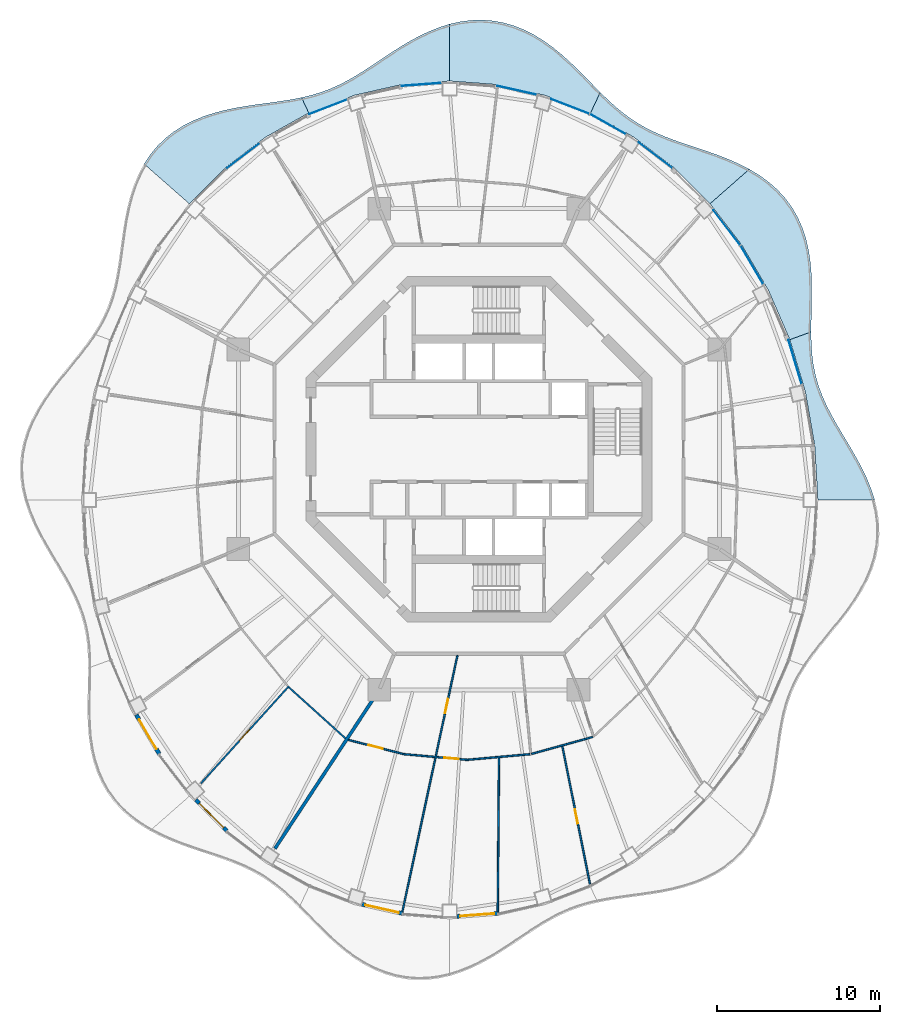
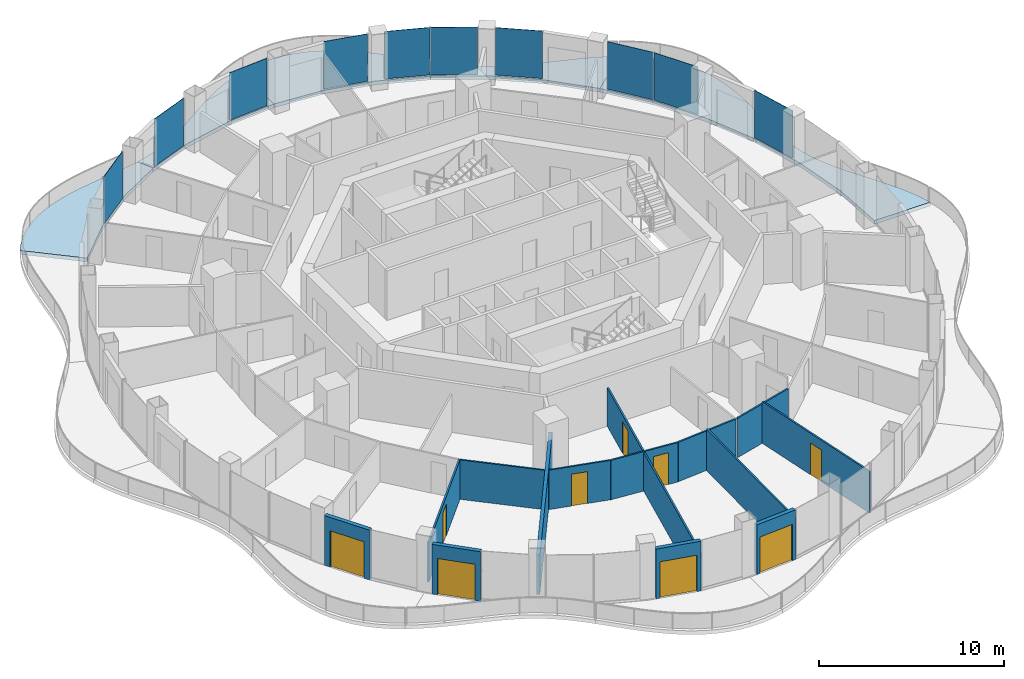
# One storey, part 9 of 17: 14 walls, 10 plates, 9 doors, 6 slabs, 9 openings, 10 elements without a shape of their own.
"""IFC4 building model written with IfcOpenShell, lengths in metres."""

import ifcopenshell
import ifcopenshell.guid

model = None  # the IFC model being written
_history = None  # IfcOwnerHistory: only IFC2X3 demands one
_inside = {}  # id of a spatial element -> (the spatial element, [elements in it])
_under = {}  # id of a project, library or spatial element -> (it, [spatial elements below it])
_declared = {}  # id of a project -> (the project, [libraries it declares])
_typed = {}  # id of a type object -> (the type object, [elements of that type])
_made_of = {}  # id of a material, layer set ... -> (it, [elements and type objects made of it])


def new_model(schema):
    """Start an empty IFC model of exactly this schema.

    Asked for "IFC4X3", IfcOpenShell would pick the latest addendum, in which some entities
    have other attributes; the version numbers below select the first issue.
    IFC2X3 requires an IfcOwnerHistory on every rooted entity: one is made here for all.
    """
    global model, _history
    if schema == "IFC4X3":
        model = ifcopenshell.file(schema_version=(4, 3, 0, 0))
    else:
        model = ifcopenshell.file(schema=schema)
    _inside.clear()
    _under.clear()
    _declared.clear()
    _typed.clear()
    _made_of.clear()
    _history = None
    if model.schema == "IFC2X3":
        org = make("IfcOrganization", Name="unknown")
        user = make(
            "IfcPersonAndOrganization",
            ThePerson=make("IfcPerson", FamilyName="unknown"),
            TheOrganization=org,
        )
        app = make(
            "IfcApplication",
            ApplicationDeveloper=org,
            Version="unknown",
            ApplicationFullName="unknown",
            ApplicationIdentifier="unknown",
        )
        _history = make(
            "IfcOwnerHistory",
            OwningUser=user,
            OwningApplication=app,
            ChangeAction="ADDED",
            CreationDate=0,
        )
    return model


def make(cls, **values):
    """One entity of the class cls with the attributes given. An attribute that is None is left unset."""
    return model.create_entity(
        cls, **{name: value for name, value in values.items() if value is not None}
    )


def rooted(cls, **values):
    """An entity with a GlobalId (a new one), such as an element, a storey or a relation."""
    return make(cls, GlobalId=ifcopenshell.guid.new(), OwnerHistory=_history, **values)


def si_unit(unit_type, name, prefix=None):
    """IfcSIUnit, for example si_unit("LENGTHUNIT", "METRE", prefix="MILLI")."""
    return make("IfcSIUnit", UnitType=unit_type, Prefix=prefix, Name=name)


def assignment(units):
    """IfcUnitAssignment: the units of a project."""
    return None if units is None else make("IfcUnitAssignment", Units=units)


def point(xyz):
    """IfcCartesianPoint."""
    return None if xyz is None else make("IfcCartesianPoint", Coordinates=xyz)


def direction(xyz):
    """IfcDirection."""
    return None if xyz is None else make("IfcDirection", DirectionRatios=xyz)


def frame(location, z_axis=None, x_axis=None):
    """IfcAxis2Placement3D, a coordinate frame: its origin and axes. An axis left out is left unset."""
    return make(
        "IfcAxis2Placement3D",
        Location=point(location),
        Axis=direction(z_axis),
        RefDirection=direction(x_axis),
    )


def frame_2d(location, x_axis=None):
    """IfcAxis2Placement2D, a coordinate frame in the plane: its origin and x axis."""
    return make(
        "IfcAxis2Placement2D", Location=point(location), RefDirection=direction(x_axis)
    )


def origin():
    """The frame at (0, 0, 0) with its axes left unset."""
    return frame((0.0, 0.0, 0.0))


def origin_2d():
    """The frame at (0, 0) in the plane with its x axis left unset."""
    return frame_2d((0.0, 0.0))


def place(relative_to, where):
    """IfcLocalPlacement: puts the frame where relative to a parent placement (None: the world)."""
    return make(
        "IfcLocalPlacement", PlacementRelTo=relative_to, RelativePlacement=where
    )


def context(
    kind, dimensions, precision=None, world=None, true_north=None, identifier=None
):
    """IfcGeometricRepresentationContext, for example the 3D "Model" context."""
    return make(
        "IfcGeometricRepresentationContext",
        ContextIdentifier=identifier,
        ContextType=kind,
        CoordinateSpaceDimension=dimensions,
        Precision=precision,
        WorldCoordinateSystem=world,
        TrueNorth=true_north,
    )


def subcontext(parent, identifier, kind, view, scale=None):
    """IfcGeometricRepresentationSubContext, for example "Body" below "Model"."""
    return make(
        "IfcGeometricRepresentationSubContext",
        ContextIdentifier=identifier,
        ContextType=kind,
        ParentContext=parent,
        TargetScale=scale,
        TargetView=view,
    )


def project(units=None, contexts=None):
    """IfcProject with its units and contexts."""
    return rooted(
        "IfcProject",
        Name="project",
        RepresentationContexts=contexts,
        UnitsInContext=assignment(units),
    )


def spatial(cls, under=None, at=None, **own):
    """A site, building, storey or space (cls), placed at a placement, below another one or the project."""
    s = rooted(cls, ObjectPlacement=at, **own)
    if under is not None:
        _under.setdefault(under.id(), (under, []))[1].append(s)
    return s


def polyline(points):
    """IfcPolyline through the points."""
    return make("IfcPolyline", Points=[point(p) for p in points])


def profile(cls, at=None, kind="AREA", **sizes):
    """A parametric profile (cls). Its sizes go by their IFC names, for example OverallWidth=200.0."""
    return make(cls, ProfileType=kind, Position=at, **sizes)


def rectangle(**sizes):
    """IfcRectangleProfileDef."""
    return profile("IfcRectangleProfileDef", **sizes)


def outline(outer, holes=None, kind="AREA"):
    """IfcArbitraryClosedProfileDef: a profile drawn as a closed curve; with holes, ...WithVoids."""
    if holes is None:
        return make("IfcArbitraryClosedProfileDef", ProfileType=kind, OuterCurve=outer)
    return make(
        "IfcArbitraryProfileDefWithVoids",
        ProfileType=kind,
        OuterCurve=outer,
        InnerCurves=holes,
    )


def extrude(swept, where, along, depth):
    """IfcExtrudedAreaSolid: the profile swept, set in the frame where, extruded along a direction by depth."""
    return make(
        "IfcExtrudedAreaSolid",
        SweptArea=swept,
        Position=where,
        ExtrudedDirection=direction(along),
        Depth=depth,
    )


def shape(context_of_items, identifier, shape_type, items):
    """IfcShapeRepresentation: the items that make up one representation, for example the "Body"."""
    return make(
        "IfcShapeRepresentation",
        ContextOfItems=context_of_items,
        RepresentationIdentifier=identifier,
        RepresentationType=shape_type,
        Items=items,
    )


def material(Name=None, Category=None):
    """IfcMaterial."""
    return make("IfcMaterial", Name=Name, Category=Category)


def layer(
    of_material, thickness, ventilated=None, Name=None, Category=None, Priority=None
):
    """IfcMaterialLayer: one layer of a wall or slab, of a material (None: an air gap)."""
    return make(
        "IfcMaterialLayer",
        Material=of_material,
        LayerThickness=thickness,
        IsVentilated=ventilated,
        Name=Name,
        Category=Category,
        Priority=Priority,
    )


def layer_set(layers, Name=None):
    """IfcMaterialLayerSet."""
    return make("IfcMaterialLayerSet", MaterialLayers=layers, LayerSetName=Name)


def made_of(thing, what):
    """Note that an element or type object is made of a material, layer set ...; save() writes the relation."""
    if what is not None:
        _made_of.setdefault(what.id(), (what, []))[1].append(thing)
    return thing


def type_object(cls, material=None, **own):
    """A type object (cls), such as IfcWallType, which elements share."""
    return made_of(rooted(cls, **own), material)


def element(
    cls,
    number,
    at=None,
    inside=None,
    cuts=None,
    type_object=None,
    material=None,
    context=None,
    identifier="Body",
    shape_type=None,
    held_by="IfcProductDefinitionShape",
    body=None,
    shapes=None,
    **own,
):
    """One element of the class cls, such as IfcWall. Its Tag is "e" and its number.

    at: its placement. inside: the storey or other place that contains it. cuts: it is an
    opening in that element (IfcRelVoidsElement). A single representation is given by context,
    identifier, shape_type and body (its items); several are given by shapes. held_by: the class
    of the entity that holds the representations. save() writes the other relations.
    """
    e = rooted(cls, Tag="e%d" % number, ObjectPlacement=at, **own)
    if body is not None:
        shapes = [shape(context, identifier, shape_type, body)]
    if shapes is not None:
        e.Representation = make(held_by, Representations=shapes)
    if inside is not None:
        _inside.setdefault(inside.id(), (inside, []))[1].append(e)
    if cuts is not None:
        rooted(
            "IfcRelVoidsElement", RelatingBuildingElement=cuts, RelatedOpeningElement=e
        )
    if type_object is not None:
        _typed.setdefault(type_object.id(), (type_object, []))[1].append(e)
    return made_of(e, material)


def fill(opening, filler):
    """IfcRelFillsElement: the door or window that sits in an opening."""
    return rooted(
        "IfcRelFillsElement",
        RelatingOpeningElement=opening,
        RelatedBuildingElement=filler,
    )


def aggregate(whole, parts):
    """IfcRelAggregates: a whole, such as a stair, and the parts it consists of."""
    return rooted("IfcRelAggregates", RelatingObject=whole, RelatedObjects=parts)


def save(model, path):
    """Write the relations noted so far, then the file.

    IfcRelAggregates (storeys below a building ...), IfcRelContainedInSpatialStructure (elements
    in a storey), IfcRelDefinesByType, IfcRelAssociatesMaterial and IfcRelDeclares: one each for
    every whole, place, type object, material and project.
    """
    for whole, parts in _under.values():
        aggregate(whole, parts)
    for where, things in _inside.values():
        rooted(
            "IfcRelContainedInSpatialStructure",
            RelatedElements=things,
            RelatingStructure=where,
        )
    for kind, things in _typed.values():
        rooted("IfcRelDefinesByType", RelatedObjects=things, RelatingType=kind)
    for what, things in _made_of.values():
        rooted("IfcRelAssociatesMaterial", RelatedObjects=things, RelatingMaterial=what)
    for by, libraries in _declared.values():
        rooted("IfcRelDeclares", RelatingContext=by, RelatedDefinitions=libraries)
    model.write(path)


model = new_model("IFC4")

# Units and contexts
model_context = context("Model", 3, precision=1e-05, world=origin(), true_north=direction((0.0, 1.0)))
body_context = subcontext(model_context, "Body", "Model", "MODEL_VIEW")
ifc_project = project(units=[si_unit("LENGTHUNIT", "METRE"), si_unit("AREAUNIT", "SQUARE_METRE"), si_unit("VOLUMEUNIT", "CUBIC_METRE"), si_unit("PLANEANGLEUNIT", "RADIAN"), si_unit("MASSUNIT", "GRAM", prefix="KILO")], contexts=[model_context])

# Site, building, storey
site_placement = place(None, origin())
site = spatial("IfcSite", under=ifc_project, at=site_placement, CompositionType="ELEMENT")
building_placement = place(site_placement, origin())
building = spatial("IfcBuilding", under=site, at=building_placement, Name="Nagisa Residences", CompositionType="ELEMENT")
storey_placement = place(building_placement, frame((0.0, 0.0, 295.5)))
storey = spatial("IfcBuildingStorey", under=building, at=storey_placement, Name="L75", CompositionType="ELEMENT", Elevation=295.5)

# Slabs
ifc_material_1 = material(Name="Concrete C40/50", Category="concrete")
ifc_layer_1 = layer(ifc_material_1, 0.25)
ifc_layer_set_1 = layer_set([ifc_layer_1], Name="BALCONY SLAB 250")
slab_type = type_object("IfcSlabType", Name="BALCONY SLAB 250", PredefinedType="FLOOR", material=ifc_layer_set_1)
slab_1_placement = place(storey_placement, frame((0.0, 0.0, -0.25)))
element("IfcSlab", 1, at=slab_1_placement, inside=storey, type_object=slab_type, Name="slab:L75:bal00", PredefinedType="FLOOR", context=body_context, shape_type="SweptSolid", body=[
    extrude(outline(polyline([(24.319091796875, -3.11767578125), (24.088134765625, -2.41943359375), (23.802734375, -1.732666015625), (23.474609375, -1.0595703125), (23.11669921875, -0.401123046875), (22.74267578125, 0.242431640625), (22.365966796875, 0.872802734375), (22.0, 1.491943359375), (21.65625, 2.103271484375), (21.345458984375, 2.7109375), (21.07470703125, 3.31884765625), (20.85009765625, 3.93212890625), (20.673828125, 4.55517578125), (20.5458984375, 5.19140625), (20.462890625, 5.8447265625), (20.419189453125, 6.516845703125), (20.406494140625, 7.208740234375), (19.09814453125, 6.732666015625), (20.04931640625, 3.544189453125), (20.62646484375, 0.241943359375), (20.820068359375, -3.11767578125), (24.319091796875, -3.11767578125)])), origin(), (0.0, 0.0, 1.0), 0.25),
])
slab_2_placement = place(storey_placement, frame((0.0, 0.0, -0.25)))
element("IfcSlab", 2, at=slab_2_placement, inside=storey, type_object=slab_type, Name="slab:L75:bal01", PredefinedType="FLOOR", context=body_context, shape_type="SweptSolid", body=[
    extrude(outline(polyline([(20.406494140625, 7.208740234375), (20.414306640625, 7.897705078125), (20.43115234375, 8.60302734375), (20.445556640625, 9.3212890625), (20.446044921875, 10.04833984375), (20.421142578125, 10.778564453125), (20.35986328125, 11.505859375), (20.252685546875, 12.22314453125), (20.091796875, 12.923095703125), (19.870849609375, 13.5986328125), (19.586181640625, 14.2431640625), (19.236328125, 14.85009765625), (18.822021484375, 15.4150390625), (18.34619140625, 15.934326171875), (17.81396484375, 16.405517578125), (17.232666015625, 16.828857421875), (16.610107421875, 17.205810546875), (14.19482421875, 15.083251953125), (16.145751953125, 12.5517578125), (17.78955078125, 9.752197265625), (19.09814453125, 6.732666015625), (20.406494140625, 7.208740234375)])), origin(), (0.0, 0.0, 1.0), 0.25),
])
slab_3_placement = place(storey_placement, frame((0.0, 0.0, -0.25)))
element("IfcSlab", 3, at=slab_3_placement, inside=storey, type_object=slab_type, Name="slab:L75:bal02", PredefinedType="FLOOR", context=body_context, shape_type="SweptSolid", body=[
    extrude(outline(polyline([(16.610107421875, 17.205810546875), (15.9873046875, 17.525146484375), (15.344482421875, 17.8095703125), (14.690185546875, 18.0654296875), (14.032958984375, 18.299072265625), (13.380615234375, 18.518310546875), (12.739990234375, 18.731201171875), (12.116455078125, 18.945556640625), (11.514404296875, 19.169921875), (10.936279296875, 19.411376953125), (10.3828125, 19.67626953125), (9.853515625, 19.9697265625), (9.34619140625, 20.295654296875), (8.857421875, 20.6552734375), (8.382568359375, 21.048828125), (7.916015625, 21.473876953125), (7.451904296875, 21.9267578125), (6.856201171875, 20.6630859375), (9.510009765625, 19.173828125), (11.97021484375, 17.30322265625), (14.19482421875, 15.083251953125), (16.610107421875, 17.205810546875)])), origin(), (0.0, 0.0, 1.0), 0.25),
])
slab_4_placement = place(storey_placement, frame((0.0, 0.0, -0.25)))
element("IfcSlab", 4, at=slab_4_placement, inside=storey, type_object=slab_type, Name="slab:L75:bal03", PredefinedType="FLOOR", context=body_context, shape_type="SweptSolid", body=[
    extrude(outline(polyline([(7.451904296875, 21.9267578125), (7.00146484375, 22.383544921875), (6.54248046875, 22.853515625), (6.070068359375, 23.32861328125), (5.580078125, 23.800048828125), (5.069091796875, 24.2578125), (4.53515625, 24.6923828125), (3.976806640625, 25.09375), (3.39453125, 25.453125), (2.789306640625, 25.76171875), (2.163330078125, 26.0126953125), (1.520263671875, 26.200439453125), (0.86376953125, 26.321044921875), (0.19873046875, 26.37255859375), (-0.47021484375, 26.354736328125), (-1.137939453125, 26.269775390625), (-1.800048828125, 26.121337890625), (-1.800048828125, 22.622314453125), (1.152587890625, 22.402099609375), (4.054443359375, 21.745361328125), (6.856201171875, 20.6630859375), (7.451904296875, 21.9267578125)])), origin(), (0.0, 0.0, 1.0), 0.25),
])
slab_5_placement = place(storey_placement, frame((0.0, 0.0, -0.25)))
element("IfcSlab", 5, at=slab_5_placement, inside=storey, type_object=slab_type, Name="slab:L75:bal04", PredefinedType="FLOOR", context=body_context, shape_type="SweptSolid", body=[
    extrude(outline(polyline([(-1.800048828125, 26.121337890625), (-2.4521484375, 25.91552734375), (-3.090576171875, 25.6591796875), (-3.713134765625, 25.36083984375), (-4.318115234375, 25.030029296875), (-4.905029296875, 24.6767578125), (-5.474365234375, 24.310791015625), (-6.02783203125, 23.9423828125), (-6.568359375, 23.580810546875), (-7.09912109375, 23.234130859375), (-7.62451171875, 22.909423828125), (-8.14892578125, 22.612060546875), (-8.676513671875, 22.34619140625), (-9.2119140625, 22.113525390625), (-9.75927734375, 21.914306640625), (-10.321533203125, 21.74658203125), (-10.9013671875, 21.60693359375), (-10.456298828125, 20.6630859375), (-7.654541015625, 21.745361328125), (-4.75244140625, 22.402099609375), (-1.800048828125, 22.622314453125), (-1.800048828125, 26.121337890625)])), origin(), (0.0, 0.0, 1.0), 0.25),
])
slab_6_placement = place(storey_placement, frame((0.0, 0.0, -0.25)))
element("IfcSlab", 6, at=slab_6_placement, inside=storey, type_object=slab_type, Name="slab:L75:bal05", PredefinedType="FLOOR", context=body_context, shape_type="SweptSolid", body=[
    extrude(outline(polyline([(-10.9013671875, 21.60693359375), (-11.5224609375, 21.48681640625), (-12.163818359375, 21.384765625), (-12.82373046875, 21.29248046875), (-13.49951171875, 21.201171875), (-14.186767578125, 21.101806640625), (-14.8798828125, 20.98486328125), (-15.572265625, 20.842041015625), (-16.2568359375, 20.664794921875), (-16.925537109375, 20.44677734375), (-17.57080078125, 20.1826171875), (-18.1845703125, 19.8681640625), (-18.760009765625, 19.50146484375), (-19.291259765625, 19.082275390625), (-19.7734375, 18.61181640625), (-20.203125, 18.0927734375), (-20.5791015625, 17.530029296875), (-17.794677734375, 15.083251953125), (-15.570068359375, 17.30322265625), (-13.110107421875, 19.173828125), (-10.456298828125, 20.6630859375), (-10.9013671875, 21.60693359375)])), origin(), (0.0, 0.0, 1.0), 0.25),
])

# Curtain wall, plate
ifc_material_2 = material(Name="Concrete-coloured aluminium curtain wall system", Category="concrete")
ifc_layer_2 = layer(ifc_material_2, 0.159912109375)
ifc_layer_set_2 = layer_set([ifc_layer_2], Name="CW1 CURTAIN WALL")
curtain_wall_type = type_object("IfcCurtainWallType", Name="CW1 CURTAIN WALL", PredefinedType="NOTDEFINED", material=ifc_layer_set_2)
curtain_wall_1_placement = place(storey_placement, origin())
curtain_wall_1 = element("IfcCurtainWall", 7, at=curtain_wall_1_placement, inside=storey, type_object=curtain_wall_type, Name="cw:CW1:L75:02", PredefinedType="NOTDEFINED")
ifc_material_3 = material(Name="Clear laminated glass", Category="glass")
ifc_layer_3 = layer(ifc_material_3, 0.028076171875)
ifc_layer_set_3 = layer_set([ifc_layer_3], Name="CW1 GLASS PANEL")
plate_type = type_object("IfcPlateType", Name="CW1 GLASS PANEL", PredefinedType="CURTAIN_PANEL", material=ifc_layer_set_3)
plate_1_placement = place(storey_placement, frame((19.424072265625, 5.35986328125, 0.150146484375), z_axis=(0.0, 0.0, 1.0), x_axis=(-0.285860274038, 0.958271310082, 0.0)))
plate_1 = element("IfcPlate", 8, at=plate_1_placement, type_object=plate_type, Name="CW1 panel", PredefinedType="CURTAIN_PANEL", context=body_context, shape_type="SweptSolid", body=[
    extrude(rectangle(XDim=2.817138671875, YDim=0.028076171875, at=origin_2d()), origin(), (0.0, 0.0, 1.0), 3.1298828125),
])
aggregate(curtain_wall_1, [plate_1])

curtain_wall_2_placement = place(storey_placement, origin())
curtain_wall_2 = element("IfcCurtainWall", 9, at=curtain_wall_2_placement, inside=storey, type_object=curtain_wall_type, Name="cw:CW1:L75:04", PredefinedType="NOTDEFINED")
plate_2_placement = place(storey_placement, frame((16.76953125, 11.33154296875, 0.150146484375), z_axis=(0.0, 0.0, 1.0), x_axis=(-0.506348567002, 0.862328898214, 0.0)))
plate_2 = element("IfcPlate", 10, at=plate_2_placement, type_object=plate_type, Name="CW1 panel", PredefinedType="CURTAIN_PANEL", context=body_context, shape_type="SweptSolid", body=[
    extrude(rectangle(XDim=2.736572265625, YDim=0.028076171875, at=origin_2d()), origin(), (0.0, 0.0, 1.0), 3.1298828125),
])
aggregate(curtain_wall_2, [plate_2])

curtain_wall_3_placement = place(storey_placement, origin())
curtain_wall_3 = element("IfcCurtainWall", 11, at=curtain_wall_3_placement, inside=storey, type_object=curtain_wall_type, Name="cw:CW1:L75:05", PredefinedType="NOTDEFINED")
plate_3_placement = place(storey_placement, frame((15.225830078125, 13.6142578125, 0.150146484375), z_axis=(0.0, 0.0, 1.0), x_axis=(-0.610429828235, 0.792070340816, 0.0)))
plate_3 = element("IfcPlate", 12, at=plate_3_placement, type_object=plate_type, Name="CW1 panel", PredefinedType="CURTAIN_PANEL", context=body_context, shape_type="SweptSolid", body=[
    extrude(rectangle(XDim=2.68603515625, YDim=0.028076171875, at=origin_2d()), origin(), (0.0, 0.0, 1.0), 3.1298828125),
])
aggregate(curtain_wall_3, [plate_3])

curtain_wall_4_placement = place(storey_placement, origin())
curtain_wall_4 = element("IfcCurtainWall", 13, at=curtain_wall_4_placement, inside=storey, type_object=curtain_wall_type, Name="cw:CW1:L75:07", PredefinedType="NOTDEFINED")
plate_4_placement = place(storey_placement, frame((10.846923828125, 18.056884765625, 0.150146484375), z_axis=(0.0, 0.0, 1.0), x_axis=(-0.79603132756, 0.605255421737, 0.0)))
plate_4 = element("IfcPlate", 14, at=plate_4_placement, type_object=plate_type, Name="CW1 panel", PredefinedType="CURTAIN_PANEL", context=body_context, shape_type="SweptSolid", body=[
    extrude(rectangle(XDim=2.58056640625, YDim=0.028076171875, at=origin_2d()), origin(), (0.0, 0.0, 1.0), 3.1298828125),
])
aggregate(curtain_wall_4, [plate_4])

curtain_wall_5_placement = place(storey_placement, origin())
curtain_wall_5 = element("IfcCurtainWall", 15, at=curtain_wall_5_placement, inside=storey, type_object=curtain_wall_type, Name="cw:CW1:L75:08", PredefinedType="NOTDEFINED")
plate_5_placement = place(storey_placement, frame((7.921630859375, 19.973388671875, 0.150146484375), z_axis=(0.0, 0.0, 1.0), x_axis=(-0.872072377523, 0.489376918501, 0.0)))
plate_5 = element("IfcPlate", 16, at=plate_5_placement, type_object=plate_type, Name="CW1 panel", PredefinedType="CURTAIN_PANEL", context=body_context, shape_type="SweptSolid", body=[
    extrude(rectangle(XDim=2.532958984375, YDim=0.028076171875, at=origin_2d()), origin(), (0.0, 0.0, 1.0), 3.1298828125),
])
aggregate(curtain_wall_5, [plate_5])

curtain_wall_6_placement = place(storey_placement, origin())
curtain_wall_6 = element("IfcCurtainWall", 17, at=curtain_wall_6_placement, inside=storey, type_object=curtain_wall_type, Name="cw:CW1:L75:09", PredefinedType="NOTDEFINED")
plate_6_placement = place(storey_placement, frame((5.6083984375, 21.059326171875, 0.150146484375), z_axis=(0.0, 0.0, 1.0), x_axis=(-0.932825759707, 0.360327770268, 0.0)))
plate_6 = element("IfcPlate", 18, at=plate_6_placement, type_object=plate_type, Name="CW1 panel", PredefinedType="CURTAIN_PANEL", context=body_context, shape_type="SweptSolid", body=[
    extrude(rectangle(XDim=2.49365234375, YDim=0.028076171875, at=origin_2d()), origin(), (0.0, 0.0, 1.0), 3.1298828125),
])
aggregate(curtain_wall_6, [plate_6])

curtain_wall_7_placement = place(storey_placement, origin())
curtain_wall_7 = element("IfcCurtainWall", 19, at=curtain_wall_7_placement, inside=storey, type_object=curtain_wall_type, Name="cw:CW1:L75:10", PredefinedType="NOTDEFINED")
plate_7_placement = place(storey_placement, frame((2.337158203125, 22.052001953125, 0.150146484375), z_axis=(0.0, 0.0, 1.0), x_axis=(-0.975327274089, 0.2207639201, 0.0)))
plate_7 = element("IfcPlate", 20, at=plate_7_placement, type_object=plate_type, Name="CW1 panel", PredefinedType="CURTAIN_PANEL", context=body_context, shape_type="SweptSolid", body=[
    extrude(rectangle(XDim=2.46533203125, YDim=0.028076171875, at=origin_2d()), origin(), (0.0, 0.0, 1.0), 3.1298828125),
])
aggregate(curtain_wall_7, [plate_7])

curtain_wall_8_placement = place(storey_placement, origin())
curtain_wall_8 = element("IfcCurtainWall", 21, at=curtain_wall_8_placement, inside=storey, type_object=curtain_wall_type, Name="cw:CW1:L75:12", PredefinedType="NOTDEFINED")
plate_8_placement = place(storey_placement, frame((-3.524658203125, 22.41357421875, 0.150146484375), z_axis=(0.0, 0.0, 1.0), x_axis=(-0.997230168512, -0.074377355493, 0.0)))
plate_8 = element("IfcPlate", 22, at=plate_8_placement, type_object=plate_type, Name="CW1 panel", PredefinedType="CURTAIN_PANEL", context=body_context, shape_type="SweptSolid", body=[
    extrude(rectangle(XDim=2.45068359375, YDim=0.028076171875, at=origin_2d()), origin(), (0.0, 0.0, 1.0), 3.1298828125),
])
aggregate(curtain_wall_8, [plate_8])

curtain_wall_9_placement = place(storey_placement, origin())
curtain_wall_9 = element("IfcCurtainWall", 23, at=curtain_wall_9_placement, inside=storey, type_object=curtain_wall_type, Name="cw:CW1:L75:14", PredefinedType="NOTDEFINED")
plate_9_placement = place(storey_placement, frame((-9.264404296875, 21.03759765625, 0.150146484375), z_axis=(0.0, 0.0, 1.0), x_axis=(-0.932825759707, -0.360327770268, 0.0)))
plate_9 = element("IfcPlate", 24, at=plate_9_placement, type_object=plate_type, Name="CW1 panel", PredefinedType="CURTAIN_PANEL", context=body_context, shape_type="SweptSolid", body=[
    extrude(rectangle(XDim=2.49365234375, YDim=0.028076171875, at=origin_2d()), origin(), (0.0, 0.0, 1.0), 3.1298828125),
])
aggregate(curtain_wall_9, [plate_9])

curtain_wall_10_placement = place(storey_placement, origin())
curtain_wall_10 = element("IfcCurtainWall", 25, at=curtain_wall_10_placement, inside=storey, type_object=curtain_wall_type, Name="cw:CW1:L75:16", PredefinedType="NOTDEFINED")
plate_10_placement = place(storey_placement, frame((-14.49462890625, 18.0205078125, 0.150146484375), z_axis=(0.0, 0.0, 1.0), x_axis=(-0.79603132756, -0.605255421737, 0.0)))
plate_10 = element("IfcPlate", 26, at=plate_10_placement, type_object=plate_type, Name="CW1 panel", PredefinedType="CURTAIN_PANEL", context=body_context, shape_type="SweptSolid", body=[
    extrude(rectangle(XDim=2.58056640625, YDim=0.028076171875, at=origin_2d()), origin(), (0.0, 0.0, 1.0), 3.1298828125),
])
aggregate(curtain_wall_10, [plate_10])

# Wall
ifc_material_4 = material(Name="Gypsum board on steel studs", Category="steel")
ifc_layer_4 = layer(ifc_material_4, 0.199951171875)
ifc_layer_set_4 = layer_set([ifc_layer_4], Name="Apartment compartment wall EI60 200")
wall_type_1 = type_object("IfcWallType", Name="Apartment compartment wall EI60 200", PredefinedType="PARTITIONING", material=ifc_layer_set_4)
wall_1_placement = place(storey_placement, frame((-6.150634765625, -14.82373046875, 0.0), z_axis=(0.0, 0.0, 1.0), x_axis=(-0.549345577828, -0.835595258556, 0.0)))
element("IfcWall", 27, at=wall_1_placement, inside=storey, type_object=wall_type_1, Name="wall:L75:u07", PredefinedType="PARTITIONING", context=body_context, shape_type="SweptSolid", body=[
    extrude(rectangle(XDim=11.619873046875, YDim=0.199951171875, at=frame_2d((5.81005859375, 0.0))), origin(), (0.0, 0.0, 1.0), 2.60205078125),
])

# Wall, opening, door
ifc_material_5 = material(Name="Gypsum board on steel studs", Category="steel")
ifc_layer_5 = layer(ifc_material_5, 0.10009765625)
ifc_layer_set_5 = layer_set([ifc_layer_5], Name="Apartment partition 100")
wall_type_2 = type_object("IfcWallType", Name="Apartment partition 100", PredefinedType="PARTITIONING", material=ifc_layer_set_5)
wall_2_placement = place(storey_placement, frame((-11.67919921875, -14.55712890625, 0.0), z_axis=(0.0, 0.0, 1.0), x_axis=(-0.670800011545, -0.741638284146, 0.0)))
wall_2 = element("IfcWall", 28, at=wall_2_placement, inside=storey, type_object=wall_type_2, Name="wall:L75:u50", PredefinedType="PARTITIONING", context=body_context, shape_type="SweptSolid", body=[
    extrude(rectangle(XDim=8.068115234375, YDim=0.10009765625, at=frame_2d((4.0341796875, 0.0))), origin(), (0.0, 0.0, 1.0), 2.60205078125),
])
opening_1_placement = place(wall_2_placement, frame((3.609130859375, 0.0, 0.0)))
opening_1 = element("IfcOpeningElement", 29, at=opening_1_placement, cuts=wall_2, Name="Opening L75-U38", PredefinedType="OPENING", context=body_context, shape_type="SweptSolid", body=[
    extrude(rectangle(XDim=0.89990234375, YDim=2.10009765625, at=frame_2d((0.449951171875, 1.050048828125))), frame((0.0, 0.06005859375, 0.0), z_axis=(0.0, -1.0, 0.0), x_axis=(1.0, 0.0, 0.0)), (0.0, 0.0, 1.0), 0.1201171875),
])
ifc_material_6 = material(Name="Timber door set", Category="wood")
door_type_1 = type_object("IfcDoorType", Name="Apartment door 900x2100", OperationType="NOTDEFINED", PredefinedType="DOOR", material=ifc_material_6)
door_1_placement = place(opening_1_placement, origin())
door_1 = element("IfcDoor", 30, at=door_1_placement, inside=storey, type_object=door_type_1, Name="Door to master bedroom, Apartment 75E", OperationType="SINGLE_SWING_RIGHT", OverallHeight=2.10009765625, OverallWidth=0.89990234375, PredefinedType="DOOR", context=body_context, shape_type="SweptSolid", body=[
    extrude(rectangle(XDim=0.89990234375, YDim=2.10009765625, at=frame_2d((0.449951171875, 1.050048828125))), frame((0.0, 0.02490234375, 0.0), z_axis=(0.0, -1.0, 0.0), x_axis=(1.0, 0.0, 0.0)), (0.0, 0.0, 1.0), 0.050048828125),
])
fill(opening_1, door_1)

# Wall
wall_3_placement = place(storey_placement, frame((-11.675537109375, -14.627685546875, 0.0), z_axis=(0.0, 0.0, 1.0), x_axis=(0.74245829867, -0.669892285921, 0.0)))
element("IfcWall", 31, at=wall_3_placement, inside=storey, type_object=wall_type_2, Name="wall:L75:u51", PredefinedType="PARTITIONING", context=body_context, shape_type="SweptSolid", body=[
    extrude(rectangle(XDim=4.679931640625, YDim=0.10009765625, at=frame_2d((2.33984375, 0.0))), origin(), (0.0, 0.0, 1.0), 2.60205078125),
])

# Wall, opening, door
wall_4_placement = place(storey_placement, frame((-8.02978515625, -17.8544921875, 0.0), z_axis=(0.0, 0.0, 1.0), x_axis=(0.968441967324, -0.249239154077, 0.0)))
wall_4 = element("IfcWall", 32, at=wall_4_placement, inside=storey, type_object=wall_type_2, Name="wall:L75:u52", PredefinedType="PARTITIONING", context=body_context, shape_type="SweptSolid", body=[
    extrude(rectangle(XDim=3.467529296875, YDim=0.10009765625, at=frame_2d((1.73388671875, 0.0))), origin(), (0.0, 0.0, 1.0), 2.60205078125),
])
opening_2_placement = place(wall_4_placement, frame((1.28369140625, 0.0, 0.0)))
opening_2 = element("IfcOpeningElement", 33, at=opening_2_placement, cuts=wall_4, Name="Opening L75-U11", PredefinedType="OPENING", context=body_context, shape_type="SweptSolid", body=[
    extrude(rectangle(XDim=0.89990234375, YDim=2.10009765625, at=frame_2d((0.449951171875, 1.050048828125))), frame((0.0, 0.06005859375, 0.0), z_axis=(0.0, -1.0, 0.0), x_axis=(1.0, 0.0, 0.0)), (0.0, 0.0, 1.0), 0.1201171875),
])
door_2_placement = place(opening_2_placement, frame((0.89990234375, 0.0, 0.0), x_axis=(-1.0, 0.0, 0.0)))
door_2 = element("IfcDoor", 34, at=door_2_placement, inside=storey, type_object=door_type_1, Name="Door to living room, Apartment 75A", OperationType="SINGLE_SWING_RIGHT", OverallHeight=2.10009765625, OverallWidth=0.89990234375, PredefinedType="DOOR", context=body_context, shape_type="SweptSolid", body=[
    extrude(rectangle(XDim=0.89990234375, YDim=2.10009765625, at=frame_2d((0.449951171875, 1.050048828125))), frame((0.0, 0.02490234375, 0.0), z_axis=(0.0, -1.0, 0.0), x_axis=(1.0, 0.0, 0.0)), (0.0, 0.0, 1.0), 0.050048828125),
])
fill(opening_2, door_2)

wall_5_placement = place(storey_placement, frame((-4.6728515625, -18.7265625, 0.0), z_axis=(0.0, 0.0, 1.0), x_axis=(0.995982840882, -0.089544294447, 0.0)))
wall_5 = element("IfcWall", 35, at=wall_5_placement, inside=storey, type_object=wall_type_2, Name="wall:L75:u53", PredefinedType="PARTITIONING", context=body_context, shape_type="SweptSolid", body=[
    extrude(rectangle(XDim=4.018798828125, YDim=0.10009765625, at=frame_2d((2.00927734375, 0.0))), origin(), (0.0, 0.0, 1.0), 2.60205078125),
])
opening_3_placement = place(wall_5_placement, frame((2.539306640625, 0.0, 0.0)))
opening_3 = element("IfcOpeningElement", 36, at=opening_3_placement, cuts=wall_5, Name="Opening L75-U08", PredefinedType="OPENING", context=body_context, shape_type="SweptSolid", body=[
    extrude(rectangle(XDim=0.89990234375, YDim=2.10009765625, at=frame_2d((0.449951171875, 1.050048828125))), frame((0.0, 0.06005859375, 0.0), z_axis=(0.0, -1.0, 0.0), x_axis=(1.0, 0.0, 0.0)), (0.0, 0.0, 1.0), 0.1201171875),
])
door_3_placement = place(opening_3_placement, frame((0.89990234375, 0.0, 0.0), x_axis=(-1.0, 0.0, 0.0)))
door_3 = element("IfcDoor", 37, at=door_3_placement, inside=storey, type_object=door_type_1, Name="Door to master bedroom, Apartment 75A", OperationType="SINGLE_SWING_LEFT", OverallHeight=2.10009765625, OverallWidth=0.89990234375, PredefinedType="DOOR", context=body_context, shape_type="SweptSolid", body=[
    extrude(rectangle(XDim=0.89990234375, YDim=2.10009765625, at=frame_2d((0.449951171875, 1.050048828125))), frame((0.0, 0.02490234375, 0.0), z_axis=(0.0, -1.0, 0.0), x_axis=(1.0, 0.0, 0.0)), (0.0, 0.0, 1.0), 0.050048828125),
])
fill(opening_3, door_3)

wall_6_placement = place(storey_placement, frame((-1.322021484375, -12.66259765625, 0.0), z_axis=(0.0, 0.0, 1.0), x_axis=(-0.209957681159, -0.97771047459, 0.0)))
wall_6 = element("IfcWall", 38, at=wall_6_placement, inside=storey, type_object=wall_type_2, Name="wall:L75:u54", PredefinedType="PARTITIONING", context=body_context, shape_type="SweptSolid", body=[
    extrude(rectangle(XDim=16.299072265625, YDim=0.10009765625, at=frame_2d((8.1494140625, 0.0))), origin(), (0.0, 0.0, 1.0), 2.527099609375),
])
opening_4_placement = place(wall_6_placement, frame((2.744140625, 0.0, 0.0)))
opening_4 = element("IfcOpeningElement", 39, at=opening_4_placement, cuts=wall_6, Name="Opening L75-U10", PredefinedType="OPENING", context=body_context, shape_type="SweptSolid", body=[
    extrude(rectangle(XDim=0.89990234375, YDim=2.10009765625, at=frame_2d((0.449951171875, 1.050048828125))), frame((0.0, 0.06005859375, 0.0), z_axis=(0.0, -1.0, 0.0), x_axis=(1.0, 0.0, 0.0)), (0.0, 0.0, 1.0), 0.1201171875),
])
door_4_placement = place(opening_4_placement, frame((0.89990234375, 0.0, 0.0), x_axis=(-1.0, 0.0, 0.0)))
door_4 = element("IfcDoor", 40, at=door_4_placement, inside=storey, type_object=door_type_1, Name="Door to store, Apartment 75A", OperationType="SINGLE_SWING_LEFT", OverallHeight=2.10009765625, OverallWidth=0.89990234375, PredefinedType="DOOR", context=body_context, shape_type="SweptSolid", body=[
    extrude(rectangle(XDim=0.89990234375, YDim=2.10009765625, at=frame_2d((0.449951171875, 1.050048828125))), frame((0.0, 0.02490234375, 0.0), z_axis=(0.0, -1.0, 0.0), x_axis=(1.0, 0.0, 0.0)), (0.0, 0.0, 1.0), 0.050048828125),
])
fill(opening_4, door_4)

# Walls
wall_7_placement = place(storey_placement, frame((-0.670166015625, -19.077392578125, 0.0), z_axis=(0.0, 0.0, 1.0), x_axis=(0.995986472869, 0.089503887414, 0.0)))
element("IfcWall", 41, at=wall_7_placement, inside=storey, type_object=wall_type_2, Name="wall:L75:u55", PredefinedType="PARTITIONING", context=body_context, shape_type="SweptSolid", body=[
    extrude(rectangle(XDim=3.81884765625, YDim=0.10009765625, at=frame_2d((1.909423828125, 0.0))), origin(), (0.0, 0.0, 1.0), 2.60205078125),
])
wall_8_placement = place(storey_placement, frame((1.231201171875, -18.95654296875, 0.0), z_axis=(0.0, 0.0, 1.0), x_axis=(-0.008128577452, -0.999966962569, 0.0)))
element("IfcWall", 42, at=wall_8_placement, inside=storey, type_object=wall_type_2, Name="wall:L75:u56", PredefinedType="PARTITIONING", context=body_context, shape_type="SweptSolid", body=[
    extrude(rectangle(XDim=9.64111328125, YDim=0.10009765625, at=frame_2d((4.820556640625, 0.0))), origin(), (0.0, 0.0, 1.0), 2.7451171875),
])
wall_9_placement = place(storey_placement, frame((3.231201171875, -18.7177734375, 0.0), z_axis=(0.0, 0.0, 1.0), x_axis=(0.963601204771, 0.267343820136, 0.0)))
element("IfcWall", 43, at=wall_9_placement, inside=storey, type_object=wall_type_2, Name="wall:L75:u58", PredefinedType="PARTITIONING", context=body_context, shape_type="SweptSolid", body=[
    extrude(rectangle(XDim=3.903076171875, YDim=0.10009765625, at=frame_2d((1.95166015625, 0.0))), origin(), (0.0, 0.0, 1.0), 2.60205078125),
])

# Wall, opening, door
wall_10_placement = place(storey_placement, frame((5.12158203125, -18.2451171875, 0.0), z_axis=(0.0, 0.0, 1.0), x_axis=(0.196554332808, -0.980492934322, 0.0)))
wall_10 = element("IfcWall", 44, at=wall_10_placement, inside=storey, type_object=wall_type_2, Name="wall:L75:u59", PredefinedType="PARTITIONING", context=body_context, shape_type="SweptSolid", body=[
    extrude(rectangle(XDim=8.785400390625, YDim=0.10009765625, at=frame_2d((4.392578125, 0.0))), origin(), (0.0, 0.0, 1.0), 2.7451171875),
])
opening_5_placement = place(wall_10_placement, frame((3.942626953125, 0.0, 0.0)))
opening_5 = element("IfcOpeningElement", 45, at=opening_5_placement, cuts=wall_10, Name="Opening L75-U09", PredefinedType="OPENING", context=body_context, shape_type="SweptSolid", body=[
    extrude(rectangle(XDim=0.89990234375, YDim=2.10009765625, at=frame_2d((0.449951171875, 1.050048828125))), frame((0.0, 0.06005859375, 0.0), z_axis=(0.0, -1.0, 0.0), x_axis=(1.0, 0.0, 0.0)), (0.0, 0.0, 1.0), 0.1201171875),
])
door_5_placement = place(opening_5_placement, frame((0.89990234375, 0.0, 0.0), x_axis=(-1.0, 0.0, 0.0)))
door_5 = element("IfcDoor", 46, at=door_5_placement, inside=storey, type_object=door_type_1, Name="Door to dining room, Apartment 75A", OperationType="SINGLE_SWING_RIGHT", OverallHeight=2.10009765625, OverallWidth=0.89990234375, PredefinedType="DOOR", context=body_context, shape_type="SweptSolid", body=[
    extrude(rectangle(XDim=0.89990234375, YDim=2.10009765625, at=frame_2d((0.449951171875, 1.050048828125))), frame((0.0, 0.02490234375, 0.0), z_axis=(0.0, -1.0, 0.0), x_axis=(1.0, 0.0, 0.0)), (0.0, 0.0, 1.0), 0.050048828125),
])
fill(opening_5, door_5)

ifc_material_7 = material(Name="Precast concrete C40/50", Category="concrete")
ifc_layer_6 = layer(ifc_material_7, 0.25)
ifc_layer_set_6 = layer_set([ifc_layer_6], Name="BALCONY DOOR WALL 250")
wall_type_3 = type_object("IfcWallType", Name="BALCONY DOOR WALL 250", PredefinedType="SOLIDWALL", material=ifc_layer_set_6)
wall_11_placement = place(storey_placement, frame((-19.637939453125, -18.723876953125, 0.0), z_axis=(0.0, 0.0, 1.0), x_axis=(-0.506371364425, 0.862315511452, 0.0)))
wall_11 = element("IfcWall", 47, at=wall_11_placement, inside=storey, type_object=wall_type_3, Name="wall:L75:bay28", PredefinedType="SOLIDWALL", context=body_context, shape_type="SweptSolid", body=[
    extrude(rectangle(XDim=2.79638671875, YDim=0.25, at=frame_2d((1.398193359375, 0.0))), origin(), (0.0, 0.0, 1.0), 3.280029296875),
])
opening_6_placement = place(wall_11_placement, frame((0.34814453125, 0.0, 0.0)))
opening_6 = element("IfcOpeningElement", 48, at=opening_6_placement, cuts=wall_11, Name="Opening BD-L75-10", PredefinedType="OPENING", context=body_context, shape_type="SweptSolid", body=[
    extrude(rectangle(XDim=2.10009765625, YDim=2.39990234375, at=frame_2d((1.050048828125, 1.199951171875))), frame((0.0, 0.135009765625, 0.0), z_axis=(0.0, -1.0, 0.0), x_axis=(1.0, 0.0, 0.0)), (0.0, 0.0, 1.0), 0.27001953125),
])
ifc_material_8 = material(Name="Aluminium and clear glass", Category="aluminium")
door_type_2 = type_object("IfcDoorType", Name="BALCONY SLIDING DOOR 2100x2400", OperationType="SLIDING_TO_LEFT", PredefinedType="DOOR", material=ifc_material_8)
door_6_placement = place(opening_6_placement, origin())
door_6 = element("IfcDoor", 49, at=door_6_placement, inside=storey, type_object=door_type_2, Name="door:L75:bay28", OperationType="SLIDING_TO_LEFT", OverallHeight=2.39990234375, OverallWidth=2.10009765625, PredefinedType="DOOR", context=body_context, shape_type="SweptSolid", body=[
    extrude(rectangle(XDim=2.10009765625, YDim=2.39990234375, at=frame_2d((1.050048828125, 1.199951171875))), frame((0.0, 0.02490234375, 0.0), z_axis=(0.0, -1.0, 0.0), x_axis=(1.0, 0.0, 0.0)), (0.0, 0.0, 1.0), 0.050048828125),
])
fill(opening_6, door_6)

wall_12_placement = place(storey_placement, frame((-15.48193359375, -23.4501953125, 0.0), z_axis=(0.0, 0.0, 1.0), x_axis=(-0.707831739508, 0.706381078841, 0.0)))
wall_12 = element("IfcWall", 50, at=wall_12_placement, inside=storey, type_object=wall_type_3, Name="wall:L75:bay30", PredefinedType="SOLIDWALL", context=body_context, shape_type="SweptSolid", body=[
    extrude(rectangle(XDim=2.692626953125, YDim=0.25, at=frame_2d((1.34619140625, 0.0))), origin(), (0.0, 0.0, 1.0), 3.280029296875),
])
opening_7_placement = place(wall_12_placement, frame((0.29638671875, 0.0, 0.0)))
opening_7 = element("IfcOpeningElement", 51, at=opening_7_placement, cuts=wall_12, Name="Opening BD-L75-11", PredefinedType="OPENING", context=body_context, shape_type="SweptSolid", body=[
    extrude(rectangle(XDim=2.10009765625, YDim=2.39990234375, at=frame_2d((1.050048828125, 1.199951171875))), frame((0.0, 0.135009765625, 0.0), z_axis=(0.0, -1.0, 0.0), x_axis=(1.0, 0.0, 0.0)), (0.0, 0.0, 1.0), 0.27001953125),
])
door_7_placement = place(opening_7_placement, origin())
door_7 = element("IfcDoor", 52, at=door_7_placement, inside=storey, type_object=door_type_2, Name="door:L75:bay30", OperationType="SLIDING_TO_LEFT", OverallHeight=2.39990234375, OverallWidth=2.10009765625, PredefinedType="DOOR", context=body_context, shape_type="SweptSolid", body=[
    extrude(rectangle(XDim=2.10009765625, YDim=2.39990234375, at=frame_2d((1.050048828125, 1.199951171875))), frame((0.0, 0.02490234375, 0.0), z_axis=(0.0, -1.0, 0.0), x_axis=(1.0, 0.0, 0.0)), (0.0, 0.0, 1.0), 0.050048828125),
])
fill(opening_7, door_7)

wall_13_placement = place(storey_placement, frame((-4.724853515625, -28.515625, 0.0), z_axis=(0.0, 0.0, 1.0), x_axis=(-0.975319584032, 0.220797891756, 0.0)))
wall_13 = element("IfcWall", 53, at=wall_13_placement, inside=storey, type_object=wall_type_3, Name="wall:L75:bay34", PredefinedType="SOLIDWALL", context=body_context, shape_type="SweptSolid", body=[
    extrude(rectangle(XDim=2.525390625, YDim=0.25, at=frame_2d((1.2626953125, 0.0))), origin(), (0.0, 0.0, 1.0), 3.280029296875),
])
opening_8_placement = place(wall_13_placement, frame((0.212646484375, 0.0, 0.0)))
opening_8 = element("IfcOpeningElement", 54, at=opening_8_placement, cuts=wall_13, Name="Opening BD-L75-12", PredefinedType="OPENING", context=body_context, shape_type="SweptSolid", body=[
    extrude(rectangle(XDim=2.10009765625, YDim=2.39990234375, at=frame_2d((1.050048828125, 1.199951171875))), frame((0.0, 0.135009765625, 0.0), z_axis=(0.0, -1.0, 0.0), x_axis=(1.0, 0.0, 0.0)), (0.0, 0.0, 1.0), 0.27001953125),
])
door_8_placement = place(opening_8_placement, origin())
door_8 = element("IfcDoor", 55, at=door_8_placement, inside=storey, type_object=door_type_2, Name="door:L75:bay34", OperationType="SLIDING_TO_LEFT", OverallHeight=2.39990234375, OverallWidth=2.10009765625, PredefinedType="DOOR", context=body_context, shape_type="SweptSolid", body=[
    extrude(rectangle(XDim=2.10009765625, YDim=2.39990234375, at=frame_2d((1.050048828125, 1.199951171875))), frame((0.0, 0.02490234375, 0.0), z_axis=(0.0, -1.0, 0.0), x_axis=(1.0, 0.0, 0.0)), (0.0, 0.0, 1.0), 0.050048828125),
])
fill(opening_8, door_8)

wall_14_placement = place(storey_placement, frame((1.143310546875, -28.512939453125, 0.0), z_axis=(0.0, 0.0, 1.0), x_axis=(-0.997236892469, -0.074287147606, 0.0)))
wall_14 = element("IfcWall", 56, at=wall_14_placement, inside=storey, type_object=wall_type_3, Name="wall:L75:bay36", PredefinedType="SOLIDWALL", context=body_context, shape_type="SweptSolid", body=[
    extrude(rectangle(XDim=2.5107421875, YDim=0.25, at=frame_2d((1.25537109375, 0.0))), origin(), (0.0, 0.0, 1.0), 3.280029296875),
])
opening_9_placement = place(wall_14_placement, frame((0.205322265625, 0.0, 0.0)))
opening_9 = element("IfcOpeningElement", 57, at=opening_9_placement, cuts=wall_14, Name="Opening BD-L75-13", PredefinedType="OPENING", context=body_context, shape_type="SweptSolid", body=[
    extrude(rectangle(XDim=2.10009765625, YDim=2.39990234375, at=frame_2d((1.050048828125, 1.199951171875))), frame((0.0, 0.135009765625, 0.0), z_axis=(0.0, -1.0, 0.0), x_axis=(1.0, 0.0, 0.0)), (0.0, 0.0, 1.0), 0.27001953125),
])
door_9_placement = place(opening_9_placement, origin())
door_9 = element("IfcDoor", 58, at=door_9_placement, inside=storey, type_object=door_type_2, Name="door:L75:bay36", OperationType="SLIDING_TO_LEFT", OverallHeight=2.39990234375, OverallWidth=2.10009765625, PredefinedType="DOOR", context=body_context, shape_type="SweptSolid", body=[
    extrude(rectangle(XDim=2.10009765625, YDim=2.39990234375, at=frame_2d((1.050048828125, 1.199951171875))), frame((0.0, 0.02490234375, 0.0), z_axis=(0.0, -1.0, 0.0), x_axis=(1.0, 0.0, 0.0)), (0.0, 0.0, 1.0), 0.050048828125),
])
fill(opening_9, door_9)

save(model, "model.ifc")
